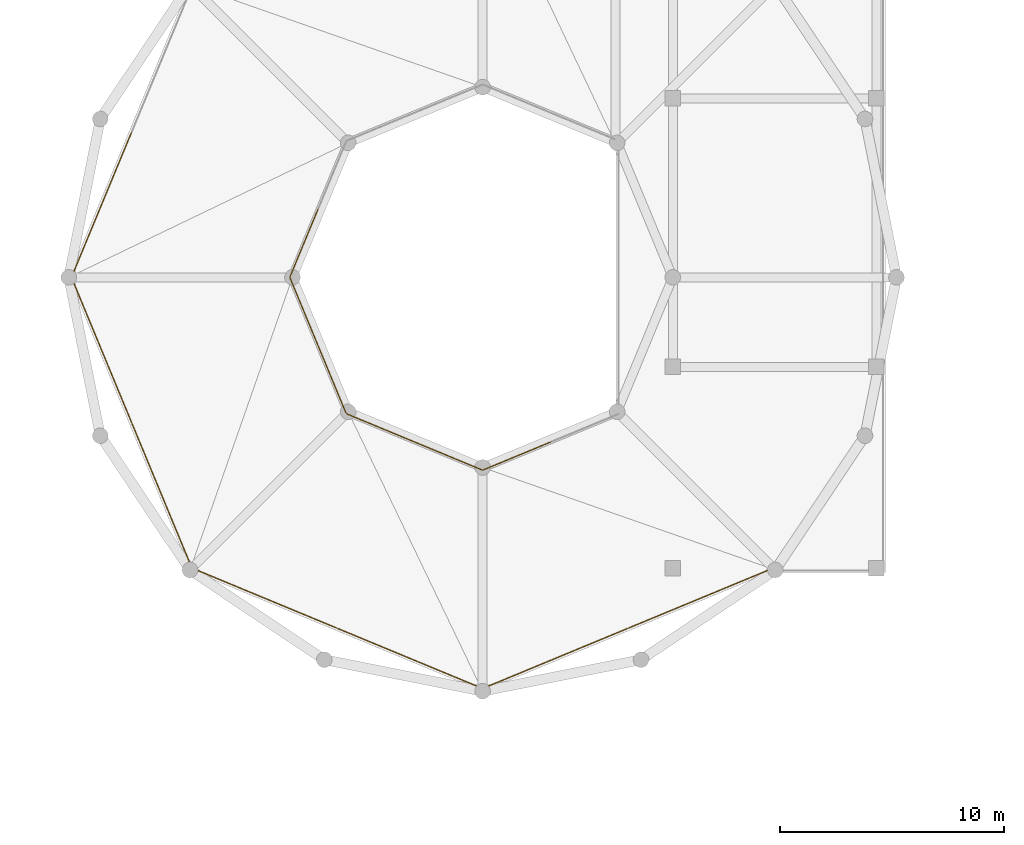
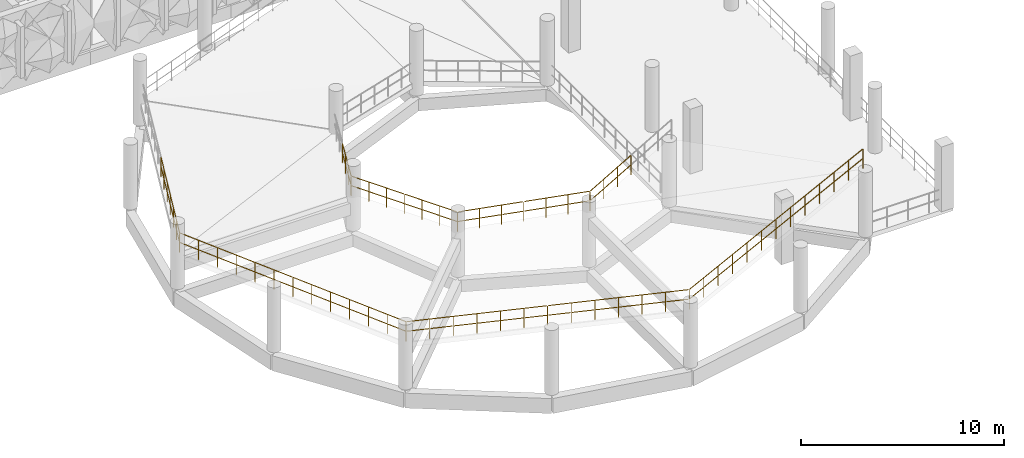
# One storey, part 71 of 83: 13 railings.
"""IFC4 building model written with IfcOpenShell, lengths in metres."""

from ifc_helpers import new_model, si_unit, derived_unit, direction, frame, origin, origin_2d, place, context, subcontext, project, spatial, circle, extrude, material, type_object, element, save


model = new_model("IFC4")

# Units and contexts
model_context = context("Model", 3, precision=1e-05, world=origin(), true_north=direction((0.0, 1.0)))
body_context = subcontext(model_context, "Body", "Model", "MODEL_VIEW")
ifc_project = project(units=[si_unit("LENGTHUNIT", "METRE"), si_unit("AREAUNIT", "SQUARE_METRE"), si_unit("VOLUMEUNIT", "CUBIC_METRE"), si_unit("PLANEANGLEUNIT", "RADIAN"), si_unit("MASSUNIT", "GRAM", prefix="KILO"), si_unit("THERMODYNAMICTEMPERATUREUNIT", "KELVIN"), derived_unit("THERMALTRANSMITTANCEUNIT", [(si_unit("POWERUNIT", "WATT"), 1), (si_unit("AREAUNIT", "SQUARE_METRE"), -1), (si_unit("THERMODYNAMICTEMPERATUREUNIT", "KELVIN"), -1)])], contexts=[model_context])

# Site, building, storey
site_placement = place(None, origin())
site = spatial("IfcSite", under=ifc_project, at=site_placement, CompositionType="ELEMENT")
building_placement = place(site_placement, origin())
building = spatial("IfcBuilding", under=site, at=building_placement, Name="Haiyu Intermodal Mobility Hub", CompositionType="ELEMENT")
storey_placement = place(building_placement, frame((0.0, 0.0, 13.39990234375)))
storey = spatial("IfcBuildingStorey", under=building, at=storey_placement, Name="L03", CompositionType="ELEMENT", Elevation=13.39990234375)

# Railings
ifc_material = material(Name="Steel Q355C", Category="steel")
railing_type = type_object("IfcRailingType", Name="RAL-GR01", PredefinedType="GUARDRAIL", material=ifc_material)
railing_1_placement = place(storey_placement, frame((18.31201171875, 66.498046875, 1.625)))
element("IfcRailing", 1, at=railing_1_placement, inside=storey, type_object=railing_type, Name="RAL-VRMP-O-L03-03B", PredefinedType="GUARDRAIL", context=body_context, shape_type="SweptSolid", body=[
    extrude(circle(Radius=0.02392578125, at=origin_2d()), frame((-0.011474609375, -0.027587890625, 1.17724609375), z_axis=(-0.382313295814, -0.922877805314, 0.046185498823), x_axis=(0.923863678282, -0.382721705618, 0.0)), (0.0, 0.0, 1.0), 6.98095703125),
    extrude(circle(Radius=0.02392578125, at=origin_2d()), frame((-0.01416015625, -0.034423828125, 0.601806640625), z_axis=(-0.382313295814, -0.922877805314, 0.046185498823), x_axis=(0.923863678282, -0.382721705618, 0.0)), (0.0, 0.0, 1.0), 1.098876953125),
    extrude(circle(Radius=0.02392578125, at=origin_2d()), frame((-0.462890625, -1.117431640625, 0.656005859375), z_axis=(-0.382313295814, -0.922877805314, 0.046185498823), x_axis=(0.923863678282, -0.382721705618, 0.0)), (0.0, 0.0, 1.0), 1.098876953125),
    extrude(circle(Radius=0.02392578125, at=origin_2d()), frame((-0.91162109375, -2.200439453125, 0.710205078125), z_axis=(-0.382313295814, -0.922877805314, 0.046185498823), x_axis=(0.923863678282, -0.382721705618, 0.0)), (0.0, 0.0, 1.0), 1.098876953125),
    extrude(circle(Radius=0.02392578125, at=origin_2d()), frame((-1.360107421875, -3.283447265625, 0.764404296875), z_axis=(-0.382313295814, -0.922877805314, 0.046185498823), x_axis=(0.923863678282, -0.382721705618, 0.0)), (0.0, 0.0, 1.0), 1.098876953125),
    extrude(circle(Radius=0.02392578125, at=origin_2d()), frame((-1.808837890625, -4.366455078125, 0.818603515625), z_axis=(-0.382313295814, -0.922877805314, 0.046185498823), x_axis=(0.923863678282, -0.382721705618, 0.0)), (0.0, 0.0, 1.0), 1.098876953125),
    extrude(circle(Radius=0.02392578125, at=origin_2d()), frame((-2.257568359375, -5.449462890625, 0.872802734375), z_axis=(-0.382313295814, -0.922877805314, 0.046185498823), x_axis=(0.923863678282, -0.382721705618, 0.0)), (0.0, 0.0, 1.0), 1.098876953125),
    extrude(circle(Radius=0.02099609375, at=origin_2d()), origin(), (0.0, 0.0, 1.0), 1.143798828125),
    extrude(circle(Radius=0.02099609375, at=origin_2d()), frame((-0.44873046875, -1.0830078125, 0.05419921875)), (0.0, 0.0, 1.0), 1.143798828125),
    extrude(circle(Radius=0.02099609375, at=origin_2d()), frame((-0.897216796875, -2.166015625, 0.1083984375)), (0.0, 0.0, 1.0), 1.143798828125),
    extrude(circle(Radius=0.02099609375, at=origin_2d()), frame((-1.345947265625, -3.2490234375, 0.16259765625)), (0.0, 0.0, 1.0), 1.143798828125),
    extrude(circle(Radius=0.02099609375, at=origin_2d()), frame((-1.794677734375, -4.33203125, 0.216796875)), (0.0, 0.0, 1.0), 1.143798828125),
    extrude(circle(Radius=0.02099609375, at=origin_2d()), frame((-2.2431640625, -5.4150390625, 0.27099609375)), (0.0, 0.0, 1.0), 1.143798828125),
    extrude(circle(Radius=0.02099609375, at=origin_2d()), frame((-2.69189453125, -6.498046875, 0.3251953125)), (0.0, 0.0, 1.0), 1.143798828125),
])
railing_2_placement = place(storey_placement, frame((26.64208984375, 63.048095703125, 1.625)))
element("IfcRailing", 2, at=railing_2_placement, inside=storey, type_object=railing_type, Name="RAL-VRMP-I-L03-03B", PredefinedType="GUARDRAIL", context=body_context, shape_type="SweptSolid", body=[
    extrude(circle(Radius=0.02392578125, at=origin_2d()), frame((-0.011474609375, -0.027587890625, 1.178955078125), z_axis=(-0.380746204029, -0.919461577814, 0.09809554038), x_axis=(0.923917630863, -0.382591441855, 0.0)), (0.0, 0.0, 1.0), 3.255126953125),
    extrude(circle(Radius=0.02392578125, at=origin_2d()), frame((-0.01416015625, -0.0341796875, 0.603515625), z_axis=(-0.380746204029, -0.919461577814, 0.09809554038), x_axis=(0.923917630863, -0.382591441855, 0.0)), (0.0, 0.0, 1.0), 1.030517578125),
    extrude(circle(Radius=0.02392578125, at=origin_2d()), frame((-0.434814453125, -1.05029296875, 0.7119140625), z_axis=(-0.380746204029, -0.919461577814, 0.09809554038), x_axis=(0.923917630863, -0.382591441855, 0.0)), (0.0, 0.0, 1.0), 1.030517578125),
    extrude(circle(Radius=0.02392578125, at=origin_2d()), frame((-0.855712890625, -2.06640625, 0.8203125), z_axis=(-0.380746204029, -0.919461577814, 0.09809554038), x_axis=(0.923917630863, -0.382591441855, 0.0)), (0.0, 0.0, 1.0), 1.030517578125),
    extrude(circle(Radius=0.02099609375, at=origin_2d()), origin(), (0.0, 0.0, 1.0), 1.143798828125),
    extrude(circle(Radius=0.02099609375, at=origin_2d()), frame((-0.420654296875, -1.01611328125, 0.1083984375)), (0.0, 0.0, 1.0), 1.143798828125),
    extrude(circle(Radius=0.02099609375, at=origin_2d()), frame((-0.841552734375, -2.031982421875, 0.216796875)), (0.0, 0.0, 1.0), 1.143798828125),
    extrude(circle(Radius=0.02099609375, at=origin_2d()), frame((-1.26220703125, -3.048095703125, 0.3251953125)), (0.0, 0.0, 1.0), 1.143798828125),
])
railing_3_placement = place(storey_placement, frame((15.6201171875, 60.0, 1.9501953125)))
element("IfcRailing", 3, at=railing_3_placement, inside=storey, type_object=railing_type, Name="RAL-VRMP-O-L03-04A", PredefinedType="GUARDRAIL", context=body_context, shape_type="SweptSolid", body=[
    extrude(circle(Radius=0.02392578125, at=origin_2d()), frame((0.011474609375, -0.027587890625, 1.17724609375), z_axis=(0.382313907833, -0.922879282684, 0.046150898905), x_axis=(0.923863678282, 0.382721705618, 0.0)), (0.0, 0.0, 1.0), 6.98095703125),
    extrude(circle(Radius=0.02392578125, at=origin_2d()), frame((0.01416015625, -0.034423828125, 0.601806640625), z_axis=(0.382313907833, -0.922879282684, 0.046150898905), x_axis=(0.923863678282, 0.382721705618, 0.0)), (0.0, 0.0, 1.0), 1.098876953125),
    extrude(circle(Radius=0.02392578125, at=origin_2d()), frame((0.462890625, -1.117431640625, 0.65576171875), z_axis=(0.382313907833, -0.922879282684, 0.046150898905), x_axis=(0.923863678282, 0.382721705618, 0.0)), (0.0, 0.0, 1.0), 1.098876953125),
    extrude(circle(Radius=0.02392578125, at=origin_2d()), frame((0.91162109375, -2.200439453125, 0.7099609375), z_axis=(0.382313907833, -0.922879282684, 0.046150898905), x_axis=(0.923863678282, 0.382721705618, 0.0)), (0.0, 0.0, 1.0), 1.098876953125),
    extrude(circle(Radius=0.02392578125, at=origin_2d()), frame((1.360107421875, -3.283447265625, 0.76416015625), z_axis=(0.382313907833, -0.922879282684, 0.046150898905), x_axis=(0.923863678282, 0.382721705618, 0.0)), (0.0, 0.0, 1.0), 1.098876953125),
    extrude(circle(Radius=0.02392578125, at=origin_2d()), frame((1.808837890625, -4.366455078125, 0.818359375), z_axis=(0.382313907833, -0.922879282684, 0.046150898905), x_axis=(0.923863678282, 0.382721705618, 0.0)), (0.0, 0.0, 1.0), 1.098876953125),
    extrude(circle(Radius=0.02392578125, at=origin_2d()), frame((2.257568359375, -5.449462890625, 0.87255859375), z_axis=(0.382313907833, -0.922879282684, 0.046150898905), x_axis=(0.923863678282, 0.382721705618, 0.0)), (0.0, 0.0, 1.0), 1.098876953125),
    extrude(circle(Radius=0.02099609375, at=origin_2d()), origin(), (0.0, 0.0, 1.0), 1.143798828125),
    extrude(circle(Radius=0.02099609375, at=origin_2d()), frame((0.44873046875, -1.0830078125, 0.05419921875)), (0.0, 0.0, 1.0), 1.143798828125),
    extrude(circle(Radius=0.02099609375, at=origin_2d()), frame((0.897216796875, -2.166015625, 0.1083984375)), (0.0, 0.0, 1.0), 1.143798828125),
    extrude(circle(Radius=0.02099609375, at=origin_2d()), frame((1.345947265625, -3.2490234375, 0.16259765625)), (0.0, 0.0, 1.0), 1.143798828125),
    extrude(circle(Radius=0.02099609375, at=origin_2d()), frame((1.794677734375, -4.33203125, 0.216552734375)), (0.0, 0.0, 1.0), 1.143798828125),
    extrude(circle(Radius=0.02099609375, at=origin_2d()), frame((2.2431640625, -5.4150390625, 0.270751953125)), (0.0, 0.0, 1.0), 1.143798828125),
    extrude(circle(Radius=0.02099609375, at=origin_2d()), frame((2.69189453125, -6.498046875, 0.324951171875)), (0.0, 0.0, 1.0), 1.143798828125),
])
railing_4_placement = place(storey_placement, frame((18.31201171875, 53.501953125, 2.275146484375)))
element("IfcRailing", 4, at=railing_4_placement, inside=storey, type_object=railing_type, Name="RAL-VRMP-O-L03-04B", PredefinedType="GUARDRAIL", context=body_context, shape_type="SweptSolid", body=[
    extrude(circle(Radius=0.02392578125, at=origin_2d()), frame((0.011474609375, -0.027587890625, 1.17724609375), z_axis=(0.382313907833, -0.922879282684, 0.046150898905), x_axis=(0.923863678282, 0.382721705618, 0.0)), (0.0, 0.0, 1.0), 6.98095703125),
    extrude(circle(Radius=0.02392578125, at=origin_2d()), frame((0.01416015625, -0.034423828125, 0.601806640625), z_axis=(0.382313907833, -0.922879282684, 0.046150898905), x_axis=(0.923863678282, 0.382721705618, 0.0)), (0.0, 0.0, 1.0), 1.098876953125),
    extrude(circle(Radius=0.02392578125, at=origin_2d()), frame((0.462890625, -1.117431640625, 0.65576171875), z_axis=(0.382313907833, -0.922879282684, 0.046150898905), x_axis=(0.923863678282, 0.382721705618, 0.0)), (0.0, 0.0, 1.0), 1.098876953125),
    extrude(circle(Radius=0.02392578125, at=origin_2d()), frame((0.91162109375, -2.200439453125, 0.7099609375), z_axis=(0.382313907833, -0.922879282684, 0.046150898905), x_axis=(0.923863678282, 0.382721705618, 0.0)), (0.0, 0.0, 1.0), 1.098876953125),
    extrude(circle(Radius=0.02392578125, at=origin_2d()), frame((1.360107421875, -3.283447265625, 0.76416015625), z_axis=(0.382313907833, -0.922879282684, 0.046150898905), x_axis=(0.923863678282, 0.382721705618, 0.0)), (0.0, 0.0, 1.0), 1.098876953125),
    extrude(circle(Radius=0.02392578125, at=origin_2d()), frame((1.808837890625, -4.366455078125, 0.818359375), z_axis=(0.382313907833, -0.922879282684, 0.046150898905), x_axis=(0.923863678282, 0.382721705618, 0.0)), (0.0, 0.0, 1.0), 1.098876953125),
    extrude(circle(Radius=0.02392578125, at=origin_2d()), frame((2.257568359375, -5.449462890625, 0.87255859375), z_axis=(0.382313907833, -0.922879282684, 0.046150898905), x_axis=(0.923863678282, 0.382721705618, 0.0)), (0.0, 0.0, 1.0), 1.098876953125),
    extrude(circle(Radius=0.02099609375, at=origin_2d()), origin(), (0.0, 0.0, 1.0), 1.143798828125),
    extrude(circle(Radius=0.02099609375, at=origin_2d()), frame((0.44873046875, -1.0830078125, 0.05419921875)), (0.0, 0.0, 1.0), 1.143798828125),
    extrude(circle(Radius=0.02099609375, at=origin_2d()), frame((0.897216796875, -2.166015625, 0.1083984375)), (0.0, 0.0, 1.0), 1.143798828125),
    extrude(circle(Radius=0.02099609375, at=origin_2d()), frame((1.345947265625, -3.2490234375, 0.16259765625)), (0.0, 0.0, 1.0), 1.143798828125),
    extrude(circle(Radius=0.02099609375, at=origin_2d()), frame((1.794677734375, -4.33203125, 0.216552734375)), (0.0, 0.0, 1.0), 1.143798828125),
    extrude(circle(Radius=0.02099609375, at=origin_2d()), frame((2.2431640625, -5.4150390625, 0.270751953125)), (0.0, 0.0, 1.0), 1.143798828125),
    extrude(circle(Radius=0.02099609375, at=origin_2d()), frame((2.69189453125, -6.498046875, 0.324951171875)), (0.0, 0.0, 1.0), 1.143798828125),
])
railing_5_placement = place(storey_placement, frame((25.3798828125, 60.0, 1.9501953125)))
element("IfcRailing", 5, at=railing_5_placement, inside=storey, type_object=railing_type, Name="RAL-VRMP-I-L03-04A", PredefinedType="GUARDRAIL", context=body_context, shape_type="SweptSolid", body=[
    extrude(circle(Radius=0.02392578125, at=origin_2d()), frame((0.011474609375, -0.027587890625, 1.178955078125), z_axis=(0.380748953641, -0.919468217836, 0.098022602959), x_axis=(0.923917630863, 0.382591441855, 0.0)), (0.0, 0.0, 1.0), 3.255126953125),
    extrude(circle(Radius=0.02392578125, at=origin_2d()), frame((0.01416015625, -0.0341796875, 0.603515625), z_axis=(0.380748953641, -0.919468217836, 0.098022602959), x_axis=(0.923917630863, 0.382591441855, 0.0)), (0.0, 0.0, 1.0), 1.030517578125),
    extrude(circle(Radius=0.02392578125, at=origin_2d()), frame((0.434814453125, -1.05029296875, 0.7119140625), z_axis=(0.380748953641, -0.919468217836, 0.098022602959), x_axis=(0.923917630863, 0.382591441855, 0.0)), (0.0, 0.0, 1.0), 1.030517578125),
    extrude(circle(Radius=0.02392578125, at=origin_2d()), frame((0.855712890625, -2.06640625, 0.8203125), z_axis=(0.380748953641, -0.919468217836, 0.098022602959), x_axis=(0.923917630863, 0.382591441855, 0.0)), (0.0, 0.0, 1.0), 1.030517578125),
    extrude(circle(Radius=0.02099609375, at=origin_2d()), origin(), (0.0, 0.0, 1.0), 1.143798828125),
    extrude(circle(Radius=0.02099609375, at=origin_2d()), frame((0.420654296875, -1.01611328125, 0.1083984375)), (0.0, 0.0, 1.0), 1.143798828125),
    extrude(circle(Radius=0.02099609375, at=origin_2d()), frame((0.841552734375, -2.031982421875, 0.216552734375)), (0.0, 0.0, 1.0), 1.143798828125),
    extrude(circle(Radius=0.02099609375, at=origin_2d()), frame((1.26220703125, -3.048095703125, 0.324951171875)), (0.0, 0.0, 1.0), 1.143798828125),
])
railing_6_placement = place(storey_placement, frame((26.64208984375, 56.951904296875, 2.275146484375)))
element("IfcRailing", 6, at=railing_6_placement, inside=storey, type_object=railing_type, Name="RAL-VRMP-I-L03-04B", PredefinedType="GUARDRAIL", context=body_context, shape_type="SweptSolid", body=[
    extrude(circle(Radius=0.02392578125, at=origin_2d()), frame((0.011474609375, -0.027587890625, 1.178955078125), z_axis=(0.381066832043, -0.919333861182, 0.098047545612), x_axis=(0.923784904849, 0.382911803909, 0.0)), (0.0, 0.0, 1.0), 3.254150390625),
    extrude(circle(Radius=0.02392578125, at=origin_2d()), frame((0.01416015625, -0.0341796875, 0.603515625), z_axis=(0.381066832043, -0.919333861182, 0.098047545612), x_axis=(0.923784904849, 0.382911803909, 0.0)), (0.0, 0.0, 1.0), 1.030029296875),
    extrude(circle(Radius=0.02392578125, at=origin_2d()), frame((0.435302734375, -1.0498046875, 0.7119140625), z_axis=(0.381066832043, -0.919333861182, 0.098047545612), x_axis=(0.923784904849, 0.382911803909, 0.0)), (0.0, 0.0, 1.0), 1.030029296875),
    extrude(circle(Radius=0.02392578125, at=origin_2d()), frame((0.856201171875, -2.0654296875, 0.8203125), z_axis=(0.381066832043, -0.919333861182, 0.098047545612), x_axis=(0.923784904849, 0.382911803909, 0.0)), (0.0, 0.0, 1.0), 1.030029296875),
    extrude(circle(Radius=0.02099609375, at=origin_2d()), origin(), (0.0, 0.0, 1.0), 1.143798828125),
    extrude(circle(Radius=0.02099609375, at=origin_2d()), frame((0.4208984375, -1.015625, 0.1083984375)), (0.0, 0.0, 1.0), 1.143798828125),
    extrude(circle(Radius=0.02099609375, at=origin_2d()), frame((0.842041015625, -2.03125, 0.216552734375)), (0.0, 0.0, 1.0), 1.143798828125),
    extrude(circle(Radius=0.02099609375, at=origin_2d()), frame((1.262939453125, -3.046875, 0.324951171875)), (0.0, 0.0, 1.0), 1.143798828125),
])
railing_7_placement = place(storey_placement, frame((21.00390625, 47.00390625, 2.60009765625)))
element("IfcRailing", 7, at=railing_7_placement, inside=storey, type_object=railing_type, Name="RAL-VRMP-O-L03-05A", PredefinedType="GUARDRAIL", context=body_context, shape_type="SweptSolid", body=[
    extrude(circle(Radius=0.02392578125, at=origin_2d()), frame((0.027587890625, -0.011474609375, 1.17724609375), z_axis=(0.922879282684, -0.382313907833, 0.046150898905), x_axis=(0.382721705618, 0.923863678282, 0.0)), (0.0, 0.0, 1.0), 6.98095703125),
    extrude(circle(Radius=0.02392578125, at=origin_2d()), frame((0.034423828125, -0.01416015625, 0.601806640625), z_axis=(0.922879282684, -0.382313907833, 0.046150898905), x_axis=(0.382721705618, 0.923863678282, 0.0)), (0.0, 0.0, 1.0), 1.098876953125),
    extrude(circle(Radius=0.02392578125, at=origin_2d()), frame((1.117431640625, -0.462890625, 0.65576171875), z_axis=(0.922879282684, -0.382313907833, 0.046150898905), x_axis=(0.382721705618, 0.923863678282, 0.0)), (0.0, 0.0, 1.0), 1.098876953125),
    extrude(circle(Radius=0.02392578125, at=origin_2d()), frame((2.200439453125, -0.91162109375, 0.7099609375), z_axis=(0.922879282684, -0.382313907833, 0.046150898905), x_axis=(0.382721705618, 0.923863678282, 0.0)), (0.0, 0.0, 1.0), 1.098876953125),
    extrude(circle(Radius=0.02392578125, at=origin_2d()), frame((3.283447265625, -1.360107421875, 0.76416015625), z_axis=(0.922879282684, -0.382313907833, 0.046150898905), x_axis=(0.382721705618, 0.923863678282, 0.0)), (0.0, 0.0, 1.0), 1.098876953125),
    extrude(circle(Radius=0.02392578125, at=origin_2d()), frame((4.366455078125, -1.808837890625, 0.818359375), z_axis=(0.922879282684, -0.382313907833, 0.046150898905), x_axis=(0.382721705618, 0.923863678282, 0.0)), (0.0, 0.0, 1.0), 1.098876953125),
    extrude(circle(Radius=0.02392578125, at=origin_2d()), frame((5.449462890625, -2.257568359375, 0.87255859375), z_axis=(0.922879282684, -0.382313907833, 0.046150898905), x_axis=(0.382721705618, 0.923863678282, 0.0)), (0.0, 0.0, 1.0), 1.098876953125),
    extrude(circle(Radius=0.02099609375, at=origin_2d()), origin(), (0.0, 0.0, 1.0), 1.143798828125),
    extrude(circle(Radius=0.02099609375, at=origin_2d()), frame((1.0830078125, -0.44873046875, 0.05419921875)), (0.0, 0.0, 1.0), 1.143798828125),
    extrude(circle(Radius=0.02099609375, at=origin_2d()), frame((2.166015625, -0.897216796875, 0.1083984375)), (0.0, 0.0, 1.0), 1.143798828125),
    extrude(circle(Radius=0.02099609375, at=origin_2d()), frame((3.2490234375, -1.345947265625, 0.16259765625)), (0.0, 0.0, 1.0), 1.143798828125),
    extrude(circle(Radius=0.02099609375, at=origin_2d()), frame((4.33203125, -1.794677734375, 0.216552734375)), (0.0, 0.0, 1.0), 1.143798828125),
    extrude(circle(Radius=0.02099609375, at=origin_2d()), frame((5.4150390625, -2.2431640625, 0.270751953125)), (0.0, 0.0, 1.0), 1.143798828125),
    extrude(circle(Radius=0.02099609375, at=origin_2d()), frame((6.498046875, -2.69189453125, 0.324951171875)), (0.0, 0.0, 1.0), 1.143798828125),
])
railing_8_placement = place(storey_placement, frame((27.501953125, 44.31201171875, 2.925048828125)))
element("IfcRailing", 8, at=railing_8_placement, inside=storey, type_object=railing_type, Name="RAL-VRMP-O-L03-05B", PredefinedType="GUARDRAIL", context=body_context, shape_type="SweptSolid", body=[
    extrude(circle(Radius=0.02392578125, at=origin_2d()), frame((0.027587890625, -0.011474609375, 1.17724609375), z_axis=(0.922879282684, -0.382313907833, 0.046150898905), x_axis=(0.382721705618, 0.923863678282, 0.0)), (0.0, 0.0, 1.0), 6.98095703125),
    extrude(circle(Radius=0.02392578125, at=origin_2d()), frame((0.034423828125, -0.01416015625, 0.601806640625), z_axis=(0.922879282684, -0.382313907833, 0.046150898905), x_axis=(0.382721705618, 0.923863678282, 0.0)), (0.0, 0.0, 1.0), 1.098876953125),
    extrude(circle(Radius=0.02392578125, at=origin_2d()), frame((1.117431640625, -0.462890625, 0.65576171875), z_axis=(0.922879282684, -0.382313907833, 0.046150898905), x_axis=(0.382721705618, 0.923863678282, 0.0)), (0.0, 0.0, 1.0), 1.098876953125),
    extrude(circle(Radius=0.02392578125, at=origin_2d()), frame((2.200439453125, -0.91162109375, 0.7099609375), z_axis=(0.922879282684, -0.382313907833, 0.046150898905), x_axis=(0.382721705618, 0.923863678282, 0.0)), (0.0, 0.0, 1.0), 1.098876953125),
    extrude(circle(Radius=0.02392578125, at=origin_2d()), frame((3.283447265625, -1.360107421875, 0.76416015625), z_axis=(0.922879282684, -0.382313907833, 0.046150898905), x_axis=(0.382721705618, 0.923863678282, 0.0)), (0.0, 0.0, 1.0), 1.098876953125),
    extrude(circle(Radius=0.02392578125, at=origin_2d()), frame((4.366455078125, -1.808837890625, 0.818359375), z_axis=(0.922879282684, -0.382313907833, 0.046150898905), x_axis=(0.382721705618, 0.923863678282, 0.0)), (0.0, 0.0, 1.0), 1.098876953125),
    extrude(circle(Radius=0.02392578125, at=origin_2d()), frame((5.449462890625, -2.257568359375, 0.87255859375), z_axis=(0.922879282684, -0.382313907833, 0.046150898905), x_axis=(0.382721705618, 0.923863678282, 0.0)), (0.0, 0.0, 1.0), 1.098876953125),
    extrude(circle(Radius=0.02099609375, at=origin_2d()), origin(), (0.0, 0.0, 1.0), 1.143798828125),
    extrude(circle(Radius=0.02099609375, at=origin_2d()), frame((1.0830078125, -0.44873046875, 0.05419921875)), (0.0, 0.0, 1.0), 1.143798828125),
    extrude(circle(Radius=0.02099609375, at=origin_2d()), frame((2.166015625, -0.897216796875, 0.1083984375)), (0.0, 0.0, 1.0), 1.143798828125),
    extrude(circle(Radius=0.02099609375, at=origin_2d()), frame((3.2490234375, -1.345947265625, 0.16259765625)), (0.0, 0.0, 1.0), 1.143798828125),
    extrude(circle(Radius=0.02099609375, at=origin_2d()), frame((4.33203125, -1.794677734375, 0.216552734375)), (0.0, 0.0, 1.0), 1.143798828125),
    extrude(circle(Radius=0.02099609375, at=origin_2d()), frame((5.4150390625, -2.2431640625, 0.270751953125)), (0.0, 0.0, 1.0), 1.143798828125),
    extrude(circle(Radius=0.02099609375, at=origin_2d()), frame((6.498046875, -2.69189453125, 0.324951171875)), (0.0, 0.0, 1.0), 1.143798828125),
])
railing_9_placement = place(storey_placement, frame((27.905029296875, 53.905029296875, 2.60009765625)))
element("IfcRailing", 9, at=railing_9_placement, inside=storey, type_object=railing_type, Name="RAL-VRMP-I-L03-05A", PredefinedType="GUARDRAIL", context=body_context, shape_type="SweptSolid", body=[
    extrude(circle(Radius=0.02392578125, at=origin_2d()), frame((0.027587890625, -0.011474609375, 1.178955078125), z_axis=(0.919333861182, -0.381066832043, 0.098047545612), x_axis=(0.382911803909, 0.923784904849, 0.0)), (0.0, 0.0, 1.0), 3.254150390625),
    extrude(circle(Radius=0.02392578125, at=origin_2d()), frame((0.0341796875, -0.01416015625, 0.603515625), z_axis=(0.919333861182, -0.381066832043, 0.098047545612), x_axis=(0.382911803909, 0.923784904849, 0.0)), (0.0, 0.0, 1.0), 1.030029296875),
    extrude(circle(Radius=0.02392578125, at=origin_2d()), frame((1.0498046875, -0.435302734375, 0.7119140625), z_axis=(0.919333861182, -0.381066832043, 0.098047545612), x_axis=(0.382911803909, 0.923784904849, 0.0)), (0.0, 0.0, 1.0), 1.030029296875),
    extrude(circle(Radius=0.02392578125, at=origin_2d()), frame((2.0654296875, -0.856201171875, 0.8203125), z_axis=(0.919333861182, -0.381066832043, 0.098047545612), x_axis=(0.382911803909, 0.923784904849, 0.0)), (0.0, 0.0, 1.0), 1.030029296875),
    extrude(circle(Radius=0.02099609375, at=origin_2d()), origin(), (0.0, 0.0, 1.0), 1.143798828125),
    extrude(circle(Radius=0.02099609375, at=origin_2d()), frame((1.015625, -0.4208984375, 0.1083984375)), (0.0, 0.0, 1.0), 1.143798828125),
    extrude(circle(Radius=0.02099609375, at=origin_2d()), frame((2.03125, -0.842041015625, 0.216552734375)), (0.0, 0.0, 1.0), 1.143798828125),
    extrude(circle(Radius=0.02099609375, at=origin_2d()), frame((3.046875, -1.262939453125, 0.324951171875)), (0.0, 0.0, 1.0), 1.143798828125),
])
railing_10_placement = place(storey_placement, frame((30.951904296875, 52.64208984375, 2.925048828125)))
element("IfcRailing", 10, at=railing_10_placement, inside=storey, type_object=railing_type, Name="RAL-VRMP-I-L03-05B", PredefinedType="GUARDRAIL", context=body_context, shape_type="SweptSolid", body=[
    extrude(circle(Radius=0.02392578125, at=origin_2d()), frame((0.027587890625, -0.011474609375, 1.178955078125), z_axis=(0.919468217836, -0.380748953641, 0.098022602959), x_axis=(0.382591441855, 0.923917630863, 0.0)), (0.0, 0.0, 1.0), 3.255126953125),
    extrude(circle(Radius=0.02392578125, at=origin_2d()), frame((0.0341796875, -0.01416015625, 0.603515625), z_axis=(0.919468217836, -0.380748953641, 0.098022602959), x_axis=(0.382591441855, 0.923917630863, 0.0)), (0.0, 0.0, 1.0), 1.030517578125),
    extrude(circle(Radius=0.02392578125, at=origin_2d()), frame((1.05029296875, -0.434814453125, 0.7119140625), z_axis=(0.919468217836, -0.380748953641, 0.098022602959), x_axis=(0.382591441855, 0.923917630863, 0.0)), (0.0, 0.0, 1.0), 1.030517578125),
    extrude(circle(Radius=0.02392578125, at=origin_2d()), frame((2.06640625, -0.855712890625, 0.8203125), z_axis=(0.919468217836, -0.380748953641, 0.098022602959), x_axis=(0.382591441855, 0.923917630863, 0.0)), (0.0, 0.0, 1.0), 1.030517578125),
    extrude(circle(Radius=0.02099609375, at=origin_2d()), origin(), (0.0, 0.0, 1.0), 1.143798828125),
    extrude(circle(Radius=0.02099609375, at=origin_2d()), frame((1.01611328125, -0.420654296875, 0.1083984375)), (0.0, 0.0, 1.0), 1.143798828125),
    extrude(circle(Radius=0.02099609375, at=origin_2d()), frame((2.031982421875, -0.841552734375, 0.216552734375)), (0.0, 0.0, 1.0), 1.143798828125),
    extrude(circle(Radius=0.02099609375, at=origin_2d()), frame((3.048095703125, -1.26220703125, 0.324951171875)), (0.0, 0.0, 1.0), 1.143798828125),
])
railing_11_placement = place(storey_placement, frame((34.0, 41.6201171875, 3.25)))
element("IfcRailing", 11, at=railing_11_placement, inside=storey, type_object=railing_type, Name="RAL-VRMP-O-L03-06A", PredefinedType="GUARDRAIL", context=body_context, shape_type="SweptSolid", body=[
    extrude(circle(Radius=0.02392578125, at=origin_2d()), frame((0.027587890625, 0.011474609375, 1.17724609375), z_axis=(0.922877805314, 0.382313295814, 0.046185498823), x_axis=(-0.382721705618, 0.923863678282, 0.0)), (0.0, 0.0, 1.0), 6.98095703125),
    extrude(circle(Radius=0.02392578125, at=origin_2d()), frame((0.034423828125, 0.01416015625, 0.601806640625), z_axis=(0.922877805314, 0.382313295814, 0.046185498823), x_axis=(-0.382721705618, 0.923863678282, 0.0)), (0.0, 0.0, 1.0), 1.098876953125),
    extrude(circle(Radius=0.02392578125, at=origin_2d()), frame((1.117431640625, 0.462890625, 0.656005859375), z_axis=(0.922877805314, 0.382313295814, 0.046185498823), x_axis=(-0.382721705618, 0.923863678282, 0.0)), (0.0, 0.0, 1.0), 1.098876953125),
    extrude(circle(Radius=0.02392578125, at=origin_2d()), frame((2.200439453125, 0.91162109375, 0.710205078125), z_axis=(0.922877805314, 0.382313295814, 0.046185498823), x_axis=(-0.382721705618, 0.923863678282, 0.0)), (0.0, 0.0, 1.0), 1.098876953125),
    extrude(circle(Radius=0.02392578125, at=origin_2d()), frame((3.283447265625, 1.360107421875, 0.764404296875), z_axis=(0.922877805314, 0.382313295814, 0.046185498823), x_axis=(-0.382721705618, 0.923863678282, 0.0)), (0.0, 0.0, 1.0), 1.098876953125),
    extrude(circle(Radius=0.02392578125, at=origin_2d()), frame((4.366455078125, 1.808837890625, 0.818603515625), z_axis=(0.922877805314, 0.382313295814, 0.046185498823), x_axis=(-0.382721705618, 0.923863678282, 0.0)), (0.0, 0.0, 1.0), 1.098876953125),
    extrude(circle(Radius=0.02392578125, at=origin_2d()), frame((5.449462890625, 2.257568359375, 0.872802734375), z_axis=(0.922877805314, 0.382313295814, 0.046185498823), x_axis=(-0.382721705618, 0.923863678282, 0.0)), (0.0, 0.0, 1.0), 1.098876953125),
    extrude(circle(Radius=0.02099609375, at=origin_2d()), origin(), (0.0, 0.0, 1.0), 1.143798828125),
    extrude(circle(Radius=0.02099609375, at=origin_2d()), frame((1.0830078125, 0.44873046875, 0.05419921875)), (0.0, 0.0, 1.0), 1.143798828125),
    extrude(circle(Radius=0.02099609375, at=origin_2d()), frame((2.166015625, 0.897216796875, 0.1083984375)), (0.0, 0.0, 1.0), 1.143798828125),
    extrude(circle(Radius=0.02099609375, at=origin_2d()), frame((3.2490234375, 1.345947265625, 0.16259765625)), (0.0, 0.0, 1.0), 1.143798828125),
    extrude(circle(Radius=0.02099609375, at=origin_2d()), frame((4.33203125, 1.794677734375, 0.216796875)), (0.0, 0.0, 1.0), 1.143798828125),
    extrude(circle(Radius=0.02099609375, at=origin_2d()), frame((5.4150390625, 2.2431640625, 0.27099609375)), (0.0, 0.0, 1.0), 1.143798828125),
    extrude(circle(Radius=0.02099609375, at=origin_2d()), frame((6.498046875, 2.69189453125, 0.3251953125)), (0.0, 0.0, 1.0), 1.143798828125),
])
railing_12_placement = place(storey_placement, frame((40.498046875, 44.31201171875, 3.5751953125)))
element("IfcRailing", 12, at=railing_12_placement, inside=storey, type_object=railing_type, Name="RAL-VRMP-O-L03-06B", PredefinedType="GUARDRAIL", context=body_context, shape_type="SweptSolid", body=[
    extrude(circle(Radius=0.02392578125, at=origin_2d()), frame((0.027587890625, 0.011474609375, 1.17724609375), z_axis=(0.922879282684, 0.382313907833, 0.046150898905), x_axis=(-0.382721705618, 0.923863678282, 0.0)), (0.0, 0.0, 1.0), 6.98095703125),
    extrude(circle(Radius=0.02392578125, at=origin_2d()), frame((0.034423828125, 0.01416015625, 0.601806640625), z_axis=(0.922879282684, 0.382313907833, 0.046150898905), x_axis=(-0.382721705618, 0.923863678282, 0.0)), (0.0, 0.0, 1.0), 1.098876953125),
    extrude(circle(Radius=0.02392578125, at=origin_2d()), frame((1.117431640625, 0.462890625, 0.65576171875), z_axis=(0.922879282684, 0.382313907833, 0.046150898905), x_axis=(-0.382721705618, 0.923863678282, 0.0)), (0.0, 0.0, 1.0), 1.098876953125),
    extrude(circle(Radius=0.02392578125, at=origin_2d()), frame((2.200439453125, 0.91162109375, 0.7099609375), z_axis=(0.922879282684, 0.382313907833, 0.046150898905), x_axis=(-0.382721705618, 0.923863678282, 0.0)), (0.0, 0.0, 1.0), 1.098876953125),
    extrude(circle(Radius=0.02392578125, at=origin_2d()), frame((3.283447265625, 1.360107421875, 0.76416015625), z_axis=(0.922879282684, 0.382313907833, 0.046150898905), x_axis=(-0.382721705618, 0.923863678282, 0.0)), (0.0, 0.0, 1.0), 1.098876953125),
    extrude(circle(Radius=0.02392578125, at=origin_2d()), frame((4.366455078125, 1.808837890625, 0.818359375), z_axis=(0.922879282684, 0.382313907833, 0.046150898905), x_axis=(-0.382721705618, 0.923863678282, 0.0)), (0.0, 0.0, 1.0), 1.098876953125),
    extrude(circle(Radius=0.02392578125, at=origin_2d()), frame((5.449462890625, 2.257568359375, 0.87255859375), z_axis=(0.922879282684, 0.382313907833, 0.046150898905), x_axis=(-0.382721705618, 0.923863678282, 0.0)), (0.0, 0.0, 1.0), 1.098876953125),
    extrude(circle(Radius=0.02099609375, at=origin_2d()), origin(), (0.0, 0.0, 1.0), 1.143798828125),
    extrude(circle(Radius=0.02099609375, at=origin_2d()), frame((1.0830078125, 0.44873046875, 0.05419921875)), (0.0, 0.0, 1.0), 1.143798828125),
    extrude(circle(Radius=0.02099609375, at=origin_2d()), frame((2.166015625, 0.897216796875, 0.1083984375)), (0.0, 0.0, 1.0), 1.143798828125),
    extrude(circle(Radius=0.02099609375, at=origin_2d()), frame((3.2490234375, 1.345947265625, 0.16259765625)), (0.0, 0.0, 1.0), 1.143798828125),
    extrude(circle(Radius=0.02099609375, at=origin_2d()), frame((4.33203125, 1.794677734375, 0.216552734375)), (0.0, 0.0, 1.0), 1.143798828125),
    extrude(circle(Radius=0.02099609375, at=origin_2d()), frame((5.4150390625, 2.2431640625, 0.270751953125)), (0.0, 0.0, 1.0), 1.143798828125),
    extrude(circle(Radius=0.02099609375, at=origin_2d()), frame((6.498046875, 2.69189453125, 0.324951171875)), (0.0, 0.0, 1.0), 1.143798828125),
])
railing_13_placement = place(storey_placement, frame((34.0, 51.3798828125, 3.25)))
element("IfcRailing", 13, at=railing_13_placement, inside=storey, type_object=railing_type, Name="RAL-VRMP-I-L03-06A", PredefinedType="GUARDRAIL", context=body_context, shape_type="SweptSolid", body=[
    extrude(circle(Radius=0.02392578125, at=origin_2d()), frame((0.027587890625, 0.011474609375, 1.178955078125), z_axis=(0.919461577814, 0.380746204029, 0.09809554038), x_axis=(-0.382591441855, 0.923917630863, 0.0)), (0.0, 0.0, 1.0), 3.255126953125),
    extrude(circle(Radius=0.02392578125, at=origin_2d()), frame((0.0341796875, 0.01416015625, 0.603515625), z_axis=(0.919461577814, 0.380746204029, 0.09809554038), x_axis=(-0.382591441855, 0.923917630863, 0.0)), (0.0, 0.0, 1.0), 1.030517578125),
    extrude(circle(Radius=0.02392578125, at=origin_2d()), frame((1.05029296875, 0.434814453125, 0.7119140625), z_axis=(0.919461577814, 0.380746204029, 0.09809554038), x_axis=(-0.382591441855, 0.923917630863, 0.0)), (0.0, 0.0, 1.0), 1.030517578125),
    extrude(circle(Radius=0.02392578125, at=origin_2d()), frame((2.06640625, 0.855712890625, 0.8203125), z_axis=(0.919461577814, 0.380746204029, 0.09809554038), x_axis=(-0.382591441855, 0.923917630863, 0.0)), (0.0, 0.0, 1.0), 1.030517578125),
    extrude(circle(Radius=0.02099609375, at=origin_2d()), origin(), (0.0, 0.0, 1.0), 1.143798828125),
    extrude(circle(Radius=0.02099609375, at=origin_2d()), frame((1.01611328125, 0.420654296875, 0.1083984375)), (0.0, 0.0, 1.0), 1.143798828125),
    extrude(circle(Radius=0.02099609375, at=origin_2d()), frame((2.031982421875, 0.841552734375, 0.216796875)), (0.0, 0.0, 1.0), 1.143798828125),
    extrude(circle(Radius=0.02099609375, at=origin_2d()), frame((3.048095703125, 1.26220703125, 0.3251953125)), (0.0, 0.0, 1.0), 1.143798828125),
])

save(model, "model.ifc")
